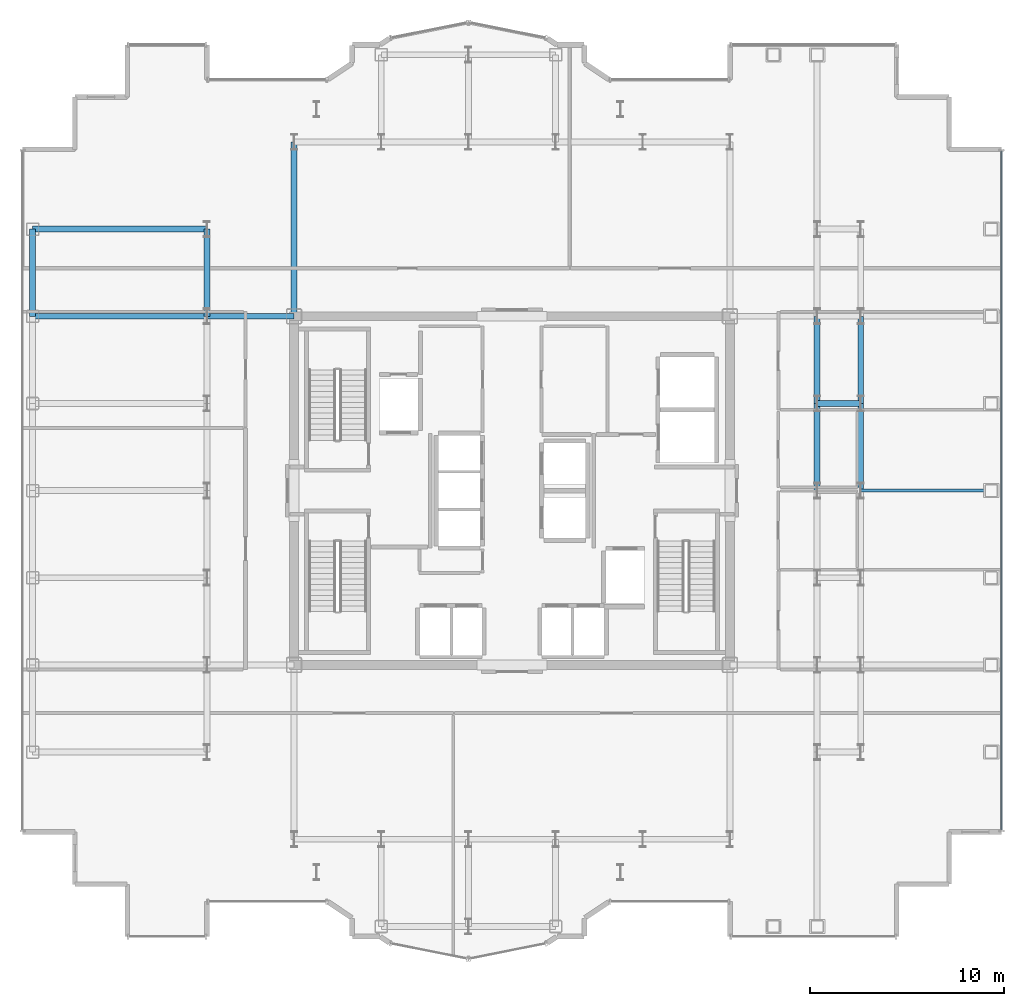
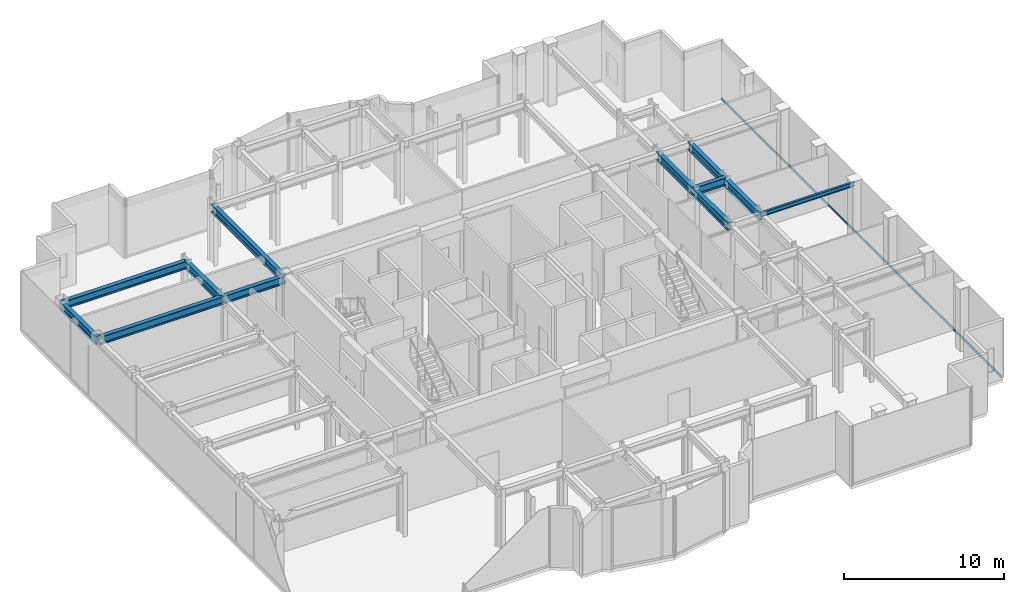
# One storey, part 7 of 20: 12 beams, 1 member, 1 element without a shape of its own.
"""IFC4 building model written with IfcOpenShell, lengths in metres."""

from ifc_helpers import new_model, si_unit, direction, frame, origin, origin_2d, place, context, subcontext, project, spatial, hollow_rectangle, i_section, extrude, source, transform, mapped, material, layer, layer_set, material_profile, profile_set, type_object, element, aggregate, save


model = new_model("IFC4")

# Units and contexts
model_context = context("Model", 3, precision=1e-05, world=origin(), true_north=direction((0.0, 1.0)))
body_context = subcontext(model_context, "Body", "Model", "MODEL_VIEW")
ifc_project = project(units=[si_unit("LENGTHUNIT", "METRE"), si_unit("AREAUNIT", "SQUARE_METRE"), si_unit("VOLUMEUNIT", "CUBIC_METRE"), si_unit("PLANEANGLEUNIT", "RADIAN"), si_unit("MASSUNIT", "GRAM", prefix="KILO")], contexts=[model_context])

# Site, building, storey
site_placement = place(None, origin())
site = spatial("IfcSite", under=ifc_project, at=site_placement, CompositionType="ELEMENT")
building_placement = place(site_placement, origin())
building = spatial("IfcBuilding", under=site, at=building_placement, Name="Nefas-Gora Pilgrimage Tower", CompositionType="ELEMENT")
storey_placement = place(building_placement, frame((0.0, 0.0, 259.800048828125)))
storey = spatial("IfcBuildingStorey", under=building, at=storey_placement, Name="L65", CompositionType="ELEMENT", Elevation=259.800048828125)

# Beams
ifc_material_1 = material(Name="Steel S355", Category="steel")
ifc_material_profile_1 = material_profile(ifc_material_1, i_section(OverallWidth=0.300048828125, OverallDepth=0.60009765625, WebThickness=0.015380859375, FlangeThickness=0.030029296875, FilletRadius=0.027099609375, at=origin_2d()), Name="HEB 600")
ifc_profile_set_1 = profile_set([ifc_material_profile_1], Name="Steel S355")
beam_type_1 = type_object("IfcBeamType", Name="BM-SPN-HEB450", PredefinedType="SPANDREL", material=ifc_profile_set_1)
shared_shape_1 = source(origin(), body_context, "Body", "SweptSolid", [
    extrude(i_section(OverallWidth=0.300048828125, OverallDepth=0.60009765625, WebThickness=0.015380859375, FlangeThickness=0.030029296875, FilletRadius=0.027099609375, at=origin_2d()), origin(), (0.0, 0.0, 1.0), 4.5),
])
beam_1_placement = place(storey_placement, frame((-24.75, 9.0, 4.25), z_axis=(0.0, 1.0, 0.0), x_axis=(-1.0, 0.0, 0.0)))
element("IfcBeam", 1, at=beam_1_placement, inside=storey, type_object=beam_type_1, Name="L65 SP-03 beam", PredefinedType="SPANDREL", context=body_context, shape_type="MappedRepresentation", body=[
    mapped(shared_shape_1, transform((0.0, 0.0, 0.0), x_axis=(1.0, 0.0, 0.0), y_axis=(0.0, 1.0, 0.0), z_axis=(0.0, 0.0, 1.0), scale=1.0)),
])
ifc_material_profile_2 = material_profile(ifc_material_1, i_section(OverallWidth=0.300048828125, OverallDepth=0.60009765625, WebThickness=0.015380859375, FlangeThickness=0.030029296875, FilletRadius=0.027099609375, at=origin_2d()), Name="HEB 600")
ifc_profile_set_2 = profile_set([ifc_material_profile_2], Name="Steel S355")
beam_type_2 = type_object("IfcBeamType", Name="BM-GIR-HEB600", PredefinedType="BEAM", material=ifc_profile_set_2)
shared_shape_2 = source(origin(), body_context, "Body", "SweptSolid", [
    extrude(i_section(OverallWidth=0.300048828125, OverallDepth=0.60009765625, WebThickness=0.015380859375, FlangeThickness=0.030029296875, FilletRadius=0.027099609375, at=origin_2d()), origin(), (0.0, 0.0, 1.0), 9.0),
])
for number, where, z_axis, x_axis, name in (
    (2, (-24.75, 9.0, 4.25), (1.0, 0.0, 0.0), (0.0, 1.0, 0.0), "L65 G-04 beam"),
    (3, (-24.75, 13.5, 4.25), (1.0, 0.0, 0.0), (0.0, 1.0, 0.0), "L65 G-04 beam"),
    (4, (-11.25, 9.0, 4.25), (0.0, 1.0, 0.0), (-1.0, 0.0, 0.0), "L65 G-04 beam"),
):
    element("IfcBeam", number, at=place(storey_placement, frame(where, z_axis=z_axis, x_axis=x_axis)), inside=storey, type_object=beam_type_2, Name=name, PredefinedType="BEAM", context=body_context, shape_type="MappedRepresentation", body=[
        mapped(shared_shape_2, transform((0.0, 0.0, 0.0), x_axis=(1.0, 0.0, 0.0), y_axis=(0.0, 1.0, 0.0), z_axis=(0.0, 0.0, 1.0), scale=1.0)),
    ])
shared_shape_3 = source(origin(), body_context, "Body", "SweptSolid", [
    extrude(i_section(OverallWidth=0.300048828125, OverallDepth=0.60009765625, WebThickness=0.015380859375, FlangeThickness=0.030029296875, FilletRadius=0.027099609375, at=origin_2d()), origin(), (0.0, 0.0, 1.0), 4.5),
])
for number, where, z_axis, x_axis, name in (
    (5, (-15.75, 9.0, 4.25), (0.0, 1.0, 0.0), (-1.0, 0.0, 0.0), "L65 G-04 beam"),
    (6, (-15.75, 9.0, 4.25), (1.0, 0.0, 0.0), (0.0, 1.0, 0.0), "L65 G-04 beam"),
    (7, (15.75, 0.0, 4.25), (0.0, 1.0, 0.0), (-1.0, 0.0, 0.0), "L65 G-04 beam"),
    (8, (15.75, 4.5, 4.25), (0.0, 1.0, 0.0), (-1.0, 0.0, 0.0), "L65 G-04 beam"),
    (9, (18.0, 0.0, 4.25), (0.0, 1.0, 0.0), (-1.0, 0.0, 0.0), "L65 G-04 beam"),
    (10, (18.0, 4.5, 4.25), (0.0, 1.0, 0.0), (-1.0, 0.0, 0.0), "L65 G-04 beam"),
):
    element("IfcBeam", number, at=place(storey_placement, frame(where, z_axis=z_axis, x_axis=x_axis)), inside=storey, type_object=beam_type_2, Name=name, PredefinedType="BEAM", context=body_context, shape_type="MappedRepresentation", body=[
        mapped(shared_shape_3, transform((0.0, 0.0, 0.0), x_axis=(1.0, 0.0, 0.0), y_axis=(0.0, 1.0, 0.0), z_axis=(0.0, 0.0, 1.0), scale=1.0)),
    ])
shared_shape_4 = source(origin(), body_context, "Body", "SweptSolid", [
    extrude(i_section(OverallWidth=0.300048828125, OverallDepth=0.60009765625, WebThickness=0.015380859375, FlangeThickness=0.030029296875, FilletRadius=0.027099609375, at=origin_2d()), origin(), (0.0, 0.0, 1.0), 2.25),
])
beam_2_placement = place(storey_placement, frame((15.75, 4.5, 4.25), z_axis=(1.0, 0.0, 0.0), x_axis=(0.0, 1.0, 0.0)))
element("IfcBeam", 11, at=beam_2_placement, inside=storey, type_object=beam_type_2, Name="L65 G-04 beam", PredefinedType="BEAM", context=body_context, shape_type="MappedRepresentation", body=[
    mapped(shared_shape_4, transform((0.0, 0.0, 0.0), x_axis=(1.0, 0.0, 0.0), y_axis=(0.0, 1.0, 0.0), z_axis=(0.0, 0.0, 1.0), scale=1.0)),
])
ifc_material_profile_3 = material_profile(ifc_material_1, i_section(OverallWidth=0.159912109375, OverallDepth=0.330078125, WebThickness=0.007568359375, FlangeThickness=0.011474609375, FilletRadius=0.01806640625, at=origin_2d()), Name="IPE 330")
ifc_profile_set_3 = profile_set([ifc_material_profile_3], Name="Steel S355")
beam_type_3 = type_object("IfcBeamType", Name="BM-JST-IPE330", PredefinedType="JOIST", material=ifc_profile_set_3)
shared_shape_5 = source(origin(), body_context, "Body", "SweptSolid", [
    extrude(i_section(OverallWidth=0.159912109375, OverallDepth=0.330078125, WebThickness=0.007568359375, FlangeThickness=0.011474609375, FilletRadius=0.01806640625, at=origin_2d()), origin(), (0.0, 0.0, 1.0), 6.75),
])
beam_3_placement = place(storey_placement, frame((18.0, 0.0, 4.385009765625), z_axis=(1.0, 0.0, 0.0), x_axis=(0.0, 1.0, 0.0)))
element("IfcBeam", 12, at=beam_3_placement, inside=storey, type_object=beam_type_3, Name="L65 J-04 beam", PredefinedType="JOIST", context=body_context, shape_type="MappedRepresentation", body=[
    mapped(shared_shape_5, transform((0.0, 0.0, 0.0), x_axis=(1.0, 0.0, 0.0), y_axis=(0.0, 1.0, 0.0), z_axis=(0.0, 0.0, 1.0), scale=1.0)),
])

# Curtain wall, member
ifc_material_2 = material(Name="Dark ceramic-fritted solar-control aluminium-glass curtain wall", Category="aluminium")
ifc_layer = layer(ifc_material_2, 0.219970703125)
ifc_layer_set = layer_set([ifc_layer], Name="Dark ceramic-fritted solar-control aluminium-glass curtain wall")
curtain_wall_type = type_object("IfcCurtainWallType", Name="CW-SYS-3", PredefinedType="NOTDEFINED", material=ifc_layer_set)
curtain_wall_placement = place(storey_placement, origin())
curtain_wall = element("IfcCurtainWall", 13, at=curtain_wall_placement, inside=storey, type_object=curtain_wall_type, Name="L65 Unitised Curtain Wall CW3", PredefinedType="NOTDEFINED")
ifc_material_3 = material(Name="Anodised architectural aluminium", Category="aluminium")
ifc_material_profile_4 = material_profile(ifc_material_3, hollow_rectangle(XDim=0.080078125, YDim=0.159912109375, WallThickness=0.00439453125, InnerFilletRadius=0.00439453125, OuterFilletRadius=0.009033203125, at=origin_2d()), Name="ALU TRANSOM 80x160")
ifc_profile_set_4 = profile_set([ifc_material_profile_4], Name="Anodised architectural aluminium")
member_type = type_object("IfcMemberType", Name="CWM-TRN-3", PredefinedType="USERDEFINED", material=ifc_profile_set_4)
shared_shape_6 = source(origin(), body_context, "Body", "SweptSolid", [
    extrude(hollow_rectangle(XDim=0.080078125, YDim=0.159912109375, WallThickness=0.00439453125, InnerFilletRadius=0.00439453125, OuterFilletRadius=0.009033203125, at=origin_2d()), origin(), (0.0, 0.0, 1.0), 35.06005859375),
])
member_placement = place(storey_placement, frame((25.27001953125, -17.530029296875, 0.050048828125), z_axis=(0.0, 1.0, 0.0), x_axis=(-1.0, 0.0, 0.0)))
member = element("IfcMember", 14, at=member_placement, type_object=member_type, Name="CW3 Spandrel Transom", ObjectType="TRANSOM", PredefinedType="USERDEFINED", context=body_context, shape_type="MappedRepresentation", body=[
    mapped(shared_shape_6, transform((0.0, 0.0, 0.0), x_axis=(1.0, 0.0, 0.0), y_axis=(0.0, 1.0, 0.0), z_axis=(0.0, 0.0, 1.0), scale=1.0)),
])
aggregate(curtain_wall, [member])

save(model, "model.ifc")
